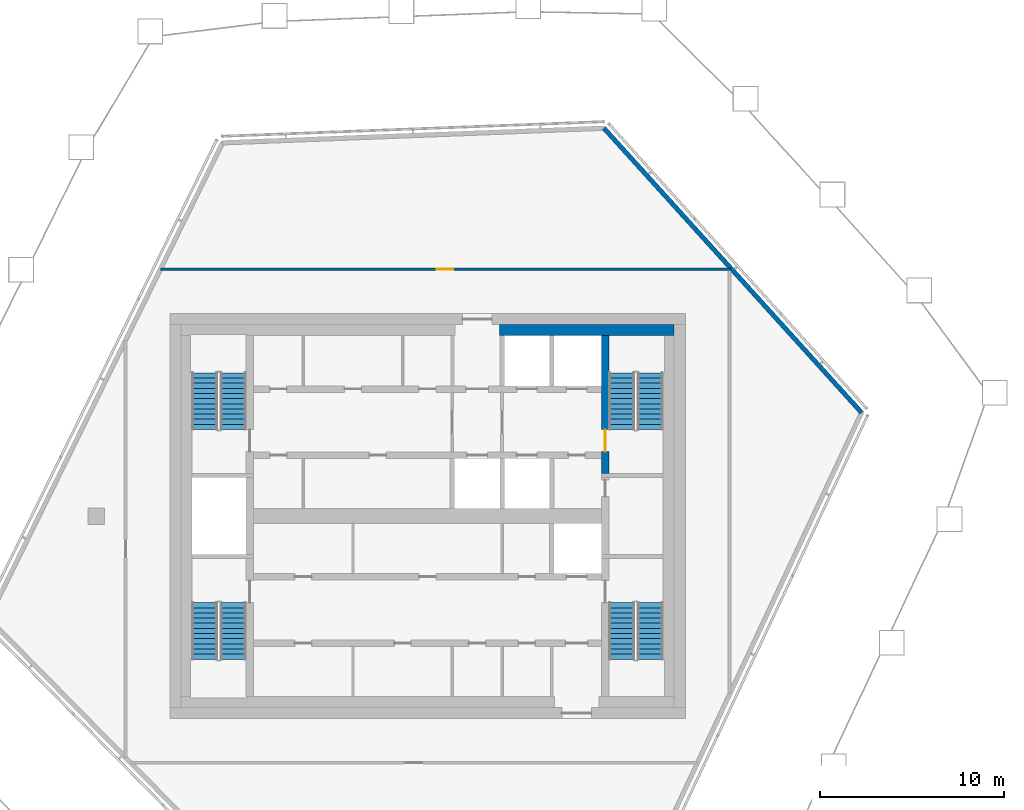
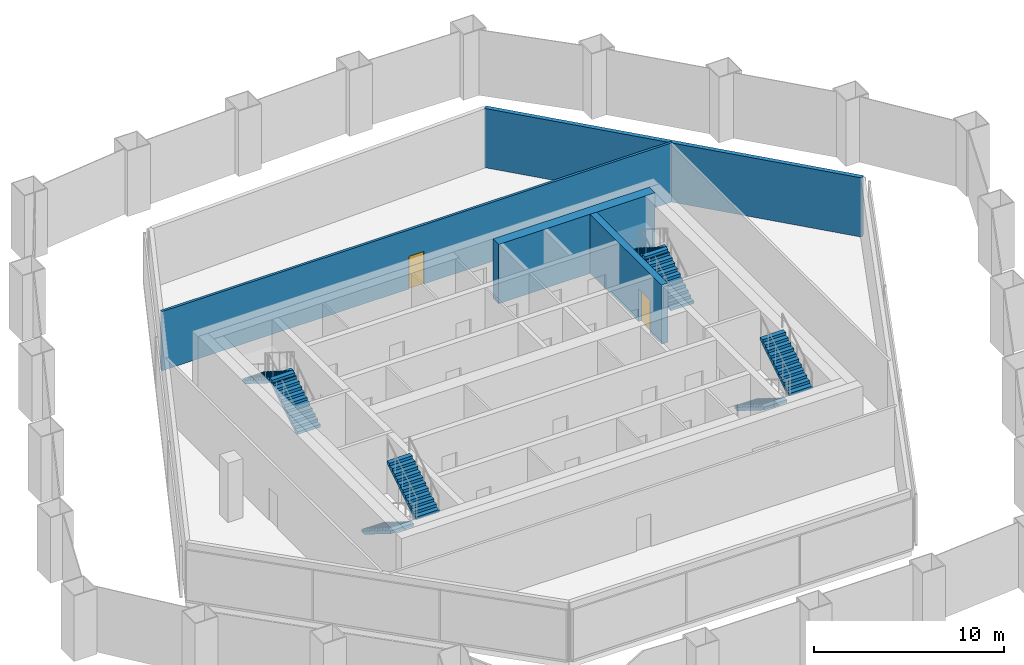
# One storey, part 9 of 18: 8 stair flights, 4 walls, 2 doors, 2 openings, 4 elements without a shape of their own.
"""IFC4 building model written with IfcOpenShell, lengths in metres."""

from ifc_helpers import new_model, si_unit, direction, frame, frame_2d, origin, place, context, subcontext, project, spatial, polyline, rectangle, outline, extrude, material, layer, layer_set, type_object, element, fill, aggregate, save


model = new_model("IFC4")

# Units and contexts
model_context = context("Model", 3, precision=1e-05, world=origin(), true_north=direction((0.0, 1.0)))
body_context = subcontext(model_context, "Body", "Model", "MODEL_VIEW")
ifc_project = project(units=[si_unit("LENGTHUNIT", "METRE"), si_unit("AREAUNIT", "SQUARE_METRE"), si_unit("VOLUMEUNIT", "CUBIC_METRE"), si_unit("PLANEANGLEUNIT", "RADIAN"), si_unit("MASSUNIT", "GRAM", prefix="KILO")], contexts=[model_context])

# Site, building, storey
site_placement = place(None, origin())
site = spatial("IfcSite", under=ifc_project, at=site_placement, CompositionType="ELEMENT")
building_placement = place(site_placement, origin())
building = spatial("IfcBuilding", under=site, at=building_placement, Name="Dongbaek Canopy Tower", CompositionType="ELEMENT")
storey_placement = place(building_placement, frame((0.0, 0.0, 363.199951171875)))
storey = spatial("IfcBuildingStorey", under=building, at=storey_placement, Name="L78", CompositionType="ELEMENT", Elevation=363.199951171875)

# Wall
ifc_material_1 = material(Name="Concrete C60/75", Category="concrete")
ifc_layer_1 = layer(ifc_material_1, 0.60009765625)
ifc_layer_set_1 = layer_set([ifc_layer_1], Name="Core wall lining 600 Concrete C60/75")
wall_type_1 = type_object("IfcWallType", Name="Core wall lining 600 Concrete C60/75", PredefinedType="SHEAR", material=ifc_layer_set_1)
wall_1_placement = place(storey_placement, frame((3.89990234375, 10.10009765625, 0.0), z_axis=(0.0, 0.0, 1.0), x_axis=(1.0, 0.0, 0.0)))
element("IfcWall", 1, at=wall_1_placement, inside=storey, type_object=wall_type_1, Name="Core wall lining", PredefinedType="SHEAR", context=body_context, shape_type="SweptSolid", body=[
    extrude(rectangle(XDim=9.5, YDim=0.60009765625, at=frame_2d((4.75, 0.0))), origin(), (0.0, 0.0, 1.0), 3.800048828125),
])

# Wall, opening, door
ifc_material_2 = material(Name="Gypsum board partition, steel stud, 2 x 15 mm fire board", Category="steel")
ifc_layer_2 = layer(ifc_material_2, 0.14990234375)
ifc_layer_set_2 = layer_set([ifc_layer_2], Name="Fire-rated partition 150 gypsum board")
wall_type_2 = type_object("IfcWallType", Name="Fire-rated partition 150 gypsum board", PredefinedType="PARTITIONING", material=ifc_layer_set_2)
wall_2_placement = place(storey_placement, frame((-14.499755859375, 13.39990234375, 0.0), z_axis=(0.0, 0.0, 1.0), x_axis=(1.0, 0.0, 0.0)))
wall_2 = element("IfcWall", 2, at=wall_2_placement, inside=storey, type_object=wall_type_2, Name="Corridor partition", PredefinedType="PARTITIONING", context=body_context, shape_type="SweptSolid", body=[
    extrude(rectangle(XDim=30.974853515625, YDim=0.14990234375, at=frame_2d((15.4873046875, 0.0))), origin(), (0.0, 0.0, 1.0), 3.800048828125),
])
opening_1_placement = place(wall_2_placement, frame((15.0, 0.0, 0.0)))
opening_1 = element("IfcOpeningElement", 3, at=opening_1_placement, cuts=wall_2, Name="Opening L78-D003", PredefinedType="OPENING", context=body_context, shape_type="SweptSolid", body=[
    extrude(rectangle(XDim=0.89990234375, YDim=2.10009765625, at=frame_2d((0.449951171875, 1.050048828125))), frame((0.0, 0.0849609375, 0.0), z_axis=(0.0, -1.0, 0.0), x_axis=(1.0, 0.0, 0.0)), (0.0, 0.0, 1.0), 0.169921875),
])
ifc_material_3 = material(Name="Timber veneered door leaf", Category="wood")
door_type_1 = type_object("IfcDoorType", Name="Store door 900 x 2100", OperationType="SINGLE_SWING_LEFT", PredefinedType="DOOR", material=ifc_material_3)
door_1_placement = place(opening_1_placement, origin())
door_1 = element("IfcDoor", 4, at=door_1_placement, inside=storey, type_object=door_type_1, Name="Door L78-D003", OperationType="SINGLE_SWING_RIGHT", OverallHeight=2.10009765625, OverallWidth=0.89990234375, PredefinedType="DOOR", context=body_context, shape_type="SweptSolid", body=[
    extrude(rectangle(XDim=0.89990234375, YDim=2.10009765625, at=frame_2d((0.449951171875, 1.050048828125))), frame((0.0, 0.02490234375, 0.0), z_axis=(0.0, -1.0, 0.0), x_axis=(1.0, 0.0, 0.0)), (0.0, 0.0, 1.0), 0.050048828125),
])
fill(opening_1, door_1)

# Wall
ifc_material_4 = material(Name="Pale metal cladding on insulated wall")
ifc_layer_3 = layer(ifc_material_4, 0.25)
ifc_layer_set_3 = layer_set([ifc_layer_3], Name="Plant floor wall 250")
wall_type_3 = type_object("IfcWallType", Name="Plant floor wall 250", PredefinedType="SOLIDWALL", material=ifc_layer_set_3)
wall_3_placement = place(storey_placement, frame((23.582763671875, 5.61376953125, 0.0), z_axis=(0.0, 0.0, 1.0), x_axis=(-0.671256862452, 0.741224813812, 0.0)))
element("IfcWall", 5, at=wall_3_placement, inside=storey, type_object=wall_type_3, Name="Plant wall L78 F2 1", PredefinedType="SOLIDWALL", context=body_context, shape_type="SweptSolid", body=[
    extrude(rectangle(XDim=20.855712890625, YDim=0.25, at=frame_2d((10.427734375, 0.0))), origin(), (0.0, 0.0, 1.0), 3.800048828125),
])

# Wall, opening, door
ifc_material_5 = material(Name="Concrete C60/75", Category="concrete")
ifc_layer_4 = layer(ifc_material_5, 0.39990234375)
ifc_layer_set_4 = layer_set([ifc_layer_4], Name="Stair wall 400 Concrete C60/75")
wall_type_4 = type_object("IfcWallType", Name="Stair wall 400 Concrete C60/75", PredefinedType="SHEAR", material=ifc_layer_set_4)
wall_4_placement = place(storey_placement, frame((9.64990234375, 9.800048828125, 0.0), z_axis=(0.0, 0.0, 1.0), x_axis=(0.0, -1.0, 0.0)))
wall_4 = element("IfcWall", 6, at=wall_4_placement, inside=storey, type_object=wall_type_4, Name="Stair wall", PredefinedType="SHEAR", context=body_context, shape_type="SweptSolid", body=[
    extrude(rectangle(XDim=7.5, YDim=0.39990234375, at=frame_2d((3.75, 0.0))), origin(), (0.0, 0.0, 1.0), 3.800048828125),
])
opening_2_placement = place(wall_4_placement, frame((5.10009765625, 0.0, 0.0)))
opening_2 = element("IfcOpeningElement", 7, at=opening_2_placement, cuts=wall_4, Name="Opening L78-D027", PredefinedType="OPENING", context=body_context, shape_type="SweptSolid", body=[
    extrude(rectangle(XDim=1.199951171875, YDim=2.10009765625, at=frame_2d((0.60009765625, 1.050048828125))), frame((0.0, 0.2099609375, 0.0), z_axis=(0.0, -1.0, 0.0), x_axis=(1.0, 0.0, 0.0)), (0.0, 0.0, 1.0), 0.419921875),
])
ifc_material_6 = material(Name="Steel", Category="steel")
door_type_2 = type_object("IfcDoorType", Name="Stair door 1200 x 2100", OperationType="SINGLE_SWING_LEFT", PredefinedType="DOOR", material=ifc_material_6)
door_2_placement = place(opening_2_placement, origin())
door_2 = element("IfcDoor", 8, at=door_2_placement, inside=storey, type_object=door_type_2, Name="Stair A door", OperationType="SINGLE_SWING_LEFT", OverallHeight=2.10009765625, OverallWidth=1.199951171875, PredefinedType="DOOR", context=body_context, shape_type="SweptSolid", body=[
    extrude(rectangle(XDim=1.199951171875, YDim=2.10009765625, at=frame_2d((0.60009765625, 1.050048828125))), frame((0.0, 0.02490234375, 0.0), z_axis=(0.0, -1.0, 0.0), x_axis=(1.0, 0.0, 0.0)), (0.0, 0.0, 1.0), 0.050048828125),
])
fill(opening_2, door_2)

# Stair, stair flights
ifc_material_7 = material(Name="Concrete C40/50", Category="concrete")
stair_type = type_object("IfcStairType", Name="Core exit stair", PredefinedType="HALF_TURN_STAIR", material=ifc_material_7)
stair_1_placement = place(storey_placement, origin())
stair_1 = element("IfcStair", 9, at=stair_1_placement, inside=storey, type_object=stair_type, Name="L78 exit stair A", PredefinedType="HALF_TURN_STAIR")
ifc_material_8 = material(Name="Concrete C40/50", Category="concrete")
ifc_layer_5 = layer(ifc_material_8, 0.14990234375)
ifc_layer_set_5 = layer_set([ifc_layer_5], Name="Core stair flight 150 waist")
stair_flight_type = type_object("IfcStairFlightType", Name="Core stair flight 150 waist", PredefinedType="STRAIGHT", material=ifc_layer_set_5)
stair_flight_1_placement = place(storey_placement, frame((12.10009765625, 4.699951171875, 0.0), z_axis=(0.0, 0.0, 1.0), x_axis=(0.0, 1.0, 0.0)))
stair_flight_1 = element("IfcStairFlight", 10, at=stair_flight_1_placement, type_object=stair_flight_type, Name="ST-A flight 1", NumberOfRisers=12, NumberOfTreads=11, PredefinedType="STRAIGHT", RiserHeight=0.175, TreadLength=0.28, context=body_context, shape_type="SweptSolid", body=[
    extrude(outline(polyline([(0.0, 0.0), (0.0, 0.175048828125), (0.280029296875, 0.175048828125), (0.280029296875, 0.35009765625), (0.56005859375, 0.35009765625), (0.56005859375, 0.52490234375), (0.840087890625, 0.52490234375), (0.840087890625, 0.699951171875), (1.1201171875, 0.699951171875), (1.1201171875, 0.875), (1.39990234375, 0.875), (1.39990234375, 1.050048828125), (1.679931640625, 1.050048828125), (1.679931640625, 1.22509765625), (1.9599609375, 1.22509765625), (1.9599609375, 1.39990234375), (2.239990234375, 1.39990234375), (2.239990234375, 1.574951171875), (2.52001953125, 1.574951171875), (2.52001953125, 1.75), (2.800048828125, 1.75), (2.800048828125, 1.925048828125), (3.080078125, 1.925048828125), (3.080078125, 2.10009765625), (3.080078125, 1.748291015625), (0.28271484375, 0.0), (0.0, 0.0)])), frame((0.0, 0.699951171875, 0.0), z_axis=(0.0, -1.0, 0.0), x_axis=(1.0, 0.0, 0.0)), (0.0, 0.0, 1.0), 1.39990234375),
])
stair_flight_2_placement = place(storey_placement, frame((10.550048828125, 7.780029296875, 2.10009765625), z_axis=(0.0, 0.0, 1.0), x_axis=(0.0, -1.0, 0.0)))
stair_flight_2 = element("IfcStairFlight", 11, at=stair_flight_2_placement, type_object=stair_flight_type, Name="ST-A flight 2", NumberOfRisers=12, NumberOfTreads=11, PredefinedType="STRAIGHT", RiserHeight=0.175, TreadLength=0.28, context=body_context, shape_type="SweptSolid", body=[
    extrude(outline(polyline([(0.0, 0.0), (0.0, 0.175048828125), (0.280029296875, 0.175048828125), (0.280029296875, 0.35009765625), (0.56005859375, 0.35009765625), (0.56005859375, 0.52490234375), (0.840087890625, 0.52490234375), (0.840087890625, 0.699951171875), (1.1201171875, 0.699951171875), (1.1201171875, 0.875), (1.39990234375, 0.875), (1.39990234375, 1.050048828125), (1.679931640625, 1.050048828125), (1.679931640625, 1.22509765625), (1.9599609375, 1.22509765625), (1.9599609375, 1.39990234375), (2.239990234375, 1.39990234375), (2.239990234375, 1.574951171875), (2.52001953125, 1.574951171875), (2.52001953125, 1.75), (2.800048828125, 1.75), (2.800048828125, 1.925048828125), (3.080078125, 1.925048828125), (3.080078125, 2.10009765625), (3.080078125, 1.748291015625), (0.28271484375, 0.0), (0.0, 0.0)])), frame((0.0, 0.699951171875, 0.0), z_axis=(0.0, -1.0, 0.0), x_axis=(1.0, 0.0, 0.0)), (0.0, 0.0, 1.0), 1.39990234375),
])
aggregate(stair_1, [stair_flight_1, stair_flight_2])

stair_2_placement = place(storey_placement, origin())
stair_2 = element("IfcStair", 12, at=stair_2_placement, inside=storey, type_object=stair_type, Name="L78 exit stair C", PredefinedType="HALF_TURN_STAIR")
stair_flight_3_placement = place(storey_placement, frame((-10.550048828125, 4.699951171875, 0.0), z_axis=(0.0, 0.0, 1.0), x_axis=(0.0, 1.0, 0.0)))
stair_flight_3 = element("IfcStairFlight", 13, at=stair_flight_3_placement, type_object=stair_flight_type, Name="ST-C flight 1", NumberOfRisers=12, NumberOfTreads=11, PredefinedType="STRAIGHT", RiserHeight=0.175, TreadLength=0.28, context=body_context, shape_type="SweptSolid", body=[
    extrude(outline(polyline([(0.0, 0.0), (0.0, 0.175048828125), (0.280029296875, 0.175048828125), (0.280029296875, 0.35009765625), (0.56005859375, 0.35009765625), (0.56005859375, 0.52490234375), (0.840087890625, 0.52490234375), (0.840087890625, 0.699951171875), (1.1201171875, 0.699951171875), (1.1201171875, 0.875), (1.39990234375, 0.875), (1.39990234375, 1.050048828125), (1.679931640625, 1.050048828125), (1.679931640625, 1.22509765625), (1.9599609375, 1.22509765625), (1.9599609375, 1.39990234375), (2.239990234375, 1.39990234375), (2.239990234375, 1.574951171875), (2.52001953125, 1.574951171875), (2.52001953125, 1.75), (2.800048828125, 1.75), (2.800048828125, 1.925048828125), (3.080078125, 1.925048828125), (3.080078125, 2.10009765625), (3.080078125, 1.748291015625), (0.28271484375, 0.0), (0.0, 0.0)])), frame((0.0, 0.699951171875, 0.0), z_axis=(0.0, -1.0, 0.0), x_axis=(1.0, 0.0, 0.0)), (0.0, 0.0, 1.0), 1.39990234375),
])
stair_flight_4_placement = place(storey_placement, frame((-12.10009765625, 7.780029296875, 2.10009765625), z_axis=(0.0, 0.0, 1.0), x_axis=(0.0, -1.0, 0.0)))
stair_flight_4 = element("IfcStairFlight", 14, at=stair_flight_4_placement, type_object=stair_flight_type, Name="ST-C flight 2", NumberOfRisers=12, NumberOfTreads=11, PredefinedType="STRAIGHT", RiserHeight=0.175, TreadLength=0.28, context=body_context, shape_type="SweptSolid", body=[
    extrude(outline(polyline([(0.0, 0.0), (0.0, 0.175048828125), (0.280029296875, 0.175048828125), (0.280029296875, 0.35009765625), (0.56005859375, 0.35009765625), (0.56005859375, 0.52490234375), (0.840087890625, 0.52490234375), (0.840087890625, 0.699951171875), (1.1201171875, 0.699951171875), (1.1201171875, 0.875), (1.39990234375, 0.875), (1.39990234375, 1.050048828125), (1.679931640625, 1.050048828125), (1.679931640625, 1.22509765625), (1.9599609375, 1.22509765625), (1.9599609375, 1.39990234375), (2.239990234375, 1.39990234375), (2.239990234375, 1.574951171875), (2.52001953125, 1.574951171875), (2.52001953125, 1.75), (2.800048828125, 1.75), (2.800048828125, 1.925048828125), (3.080078125, 1.925048828125), (3.080078125, 2.10009765625), (3.080078125, 1.748291015625), (0.28271484375, 0.0), (0.0, 0.0)])), frame((0.0, 0.699951171875, 0.0), z_axis=(0.0, -1.0, 0.0), x_axis=(1.0, 0.0, 0.0)), (0.0, 0.0, 1.0), 1.39990234375),
])
aggregate(stair_2, [stair_flight_3, stair_flight_4])

stair_3_placement = place(storey_placement, origin())
stair_3 = element("IfcStair", 15, at=stair_3_placement, inside=storey, type_object=stair_type, Name="L78 exit stair B", PredefinedType="HALF_TURN_STAIR")
stair_flight_5_placement = place(storey_placement, frame((10.550048828125, -4.699951171875, 0.0), z_axis=(0.0, 0.0, 1.0), x_axis=(0.0, -1.0, 0.0)))
stair_flight_5 = element("IfcStairFlight", 16, at=stair_flight_5_placement, type_object=stair_flight_type, Name="ST-B flight 1", NumberOfRisers=12, NumberOfTreads=11, PredefinedType="STRAIGHT", RiserHeight=0.175, TreadLength=0.28, context=body_context, shape_type="SweptSolid", body=[
    extrude(outline(polyline([(0.0, 0.0), (0.0, 0.175048828125), (0.280029296875, 0.175048828125), (0.280029296875, 0.35009765625), (0.56005859375, 0.35009765625), (0.56005859375, 0.52490234375), (0.840087890625, 0.52490234375), (0.840087890625, 0.699951171875), (1.1201171875, 0.699951171875), (1.1201171875, 0.875), (1.39990234375, 0.875), (1.39990234375, 1.050048828125), (1.679931640625, 1.050048828125), (1.679931640625, 1.22509765625), (1.9599609375, 1.22509765625), (1.9599609375, 1.39990234375), (2.239990234375, 1.39990234375), (2.239990234375, 1.574951171875), (2.52001953125, 1.574951171875), (2.52001953125, 1.75), (2.800048828125, 1.75), (2.800048828125, 1.925048828125), (3.080078125, 1.925048828125), (3.080078125, 2.10009765625), (3.080078125, 1.748291015625), (0.28271484375, 0.0), (0.0, 0.0)])), frame((0.0, 0.699951171875, 0.0), z_axis=(0.0, -1.0, 0.0), x_axis=(1.0, 0.0, 0.0)), (0.0, 0.0, 1.0), 1.39990234375),
])
stair_flight_6_placement = place(storey_placement, frame((12.10009765625, -7.780029296875, 2.10009765625), z_axis=(0.0, 0.0, 1.0), x_axis=(0.0, 1.0, 0.0)))
stair_flight_6 = element("IfcStairFlight", 17, at=stair_flight_6_placement, type_object=stair_flight_type, Name="ST-B flight 2", NumberOfRisers=12, NumberOfTreads=11, PredefinedType="STRAIGHT", RiserHeight=0.175, TreadLength=0.28, context=body_context, shape_type="SweptSolid", body=[
    extrude(outline(polyline([(0.0, 0.0), (0.0, 0.175048828125), (0.280029296875, 0.175048828125), (0.280029296875, 0.35009765625), (0.56005859375, 0.35009765625), (0.56005859375, 0.52490234375), (0.840087890625, 0.52490234375), (0.840087890625, 0.699951171875), (1.1201171875, 0.699951171875), (1.1201171875, 0.875), (1.39990234375, 0.875), (1.39990234375, 1.050048828125), (1.679931640625, 1.050048828125), (1.679931640625, 1.22509765625), (1.9599609375, 1.22509765625), (1.9599609375, 1.39990234375), (2.239990234375, 1.39990234375), (2.239990234375, 1.574951171875), (2.52001953125, 1.574951171875), (2.52001953125, 1.75), (2.800048828125, 1.75), (2.800048828125, 1.925048828125), (3.080078125, 1.925048828125), (3.080078125, 2.10009765625), (3.080078125, 1.748291015625), (0.28271484375, 0.0), (0.0, 0.0)])), frame((0.0, 0.699951171875, 0.0), z_axis=(0.0, -1.0, 0.0), x_axis=(1.0, 0.0, 0.0)), (0.0, 0.0, 1.0), 1.39990234375),
])
aggregate(stair_3, [stair_flight_5, stair_flight_6])

stair_4_placement = place(storey_placement, origin())
stair_4 = element("IfcStair", 18, at=stair_4_placement, inside=storey, type_object=stair_type, Name="L78 exit stair D", PredefinedType="HALF_TURN_STAIR")
stair_flight_7_placement = place(storey_placement, frame((-12.10009765625, -4.699951171875, 0.0), z_axis=(0.0, 0.0, 1.0), x_axis=(0.0, -1.0, 0.0)))
stair_flight_7 = element("IfcStairFlight", 19, at=stair_flight_7_placement, type_object=stair_flight_type, Name="ST-D flight 1", NumberOfRisers=12, NumberOfTreads=11, PredefinedType="STRAIGHT", RiserHeight=0.175, TreadLength=0.28, context=body_context, shape_type="SweptSolid", body=[
    extrude(outline(polyline([(0.0, 0.0), (0.0, 0.175048828125), (0.280029296875, 0.175048828125), (0.280029296875, 0.35009765625), (0.56005859375, 0.35009765625), (0.56005859375, 0.52490234375), (0.840087890625, 0.52490234375), (0.840087890625, 0.699951171875), (1.1201171875, 0.699951171875), (1.1201171875, 0.875), (1.39990234375, 0.875), (1.39990234375, 1.050048828125), (1.679931640625, 1.050048828125), (1.679931640625, 1.22509765625), (1.9599609375, 1.22509765625), (1.9599609375, 1.39990234375), (2.239990234375, 1.39990234375), (2.239990234375, 1.574951171875), (2.52001953125, 1.574951171875), (2.52001953125, 1.75), (2.800048828125, 1.75), (2.800048828125, 1.925048828125), (3.080078125, 1.925048828125), (3.080078125, 2.10009765625), (3.080078125, 1.748291015625), (0.28271484375, 0.0), (0.0, 0.0)])), frame((0.0, 0.699951171875, 0.0), z_axis=(0.0, -1.0, 0.0), x_axis=(1.0, 0.0, 0.0)), (0.0, 0.0, 1.0), 1.39990234375),
])
stair_flight_8_placement = place(storey_placement, frame((-10.550048828125, -7.780029296875, 2.10009765625), z_axis=(0.0, 0.0, 1.0), x_axis=(0.0, 1.0, 0.0)))
stair_flight_8 = element("IfcStairFlight", 20, at=stair_flight_8_placement, type_object=stair_flight_type, Name="ST-D flight 2", NumberOfRisers=12, NumberOfTreads=11, PredefinedType="STRAIGHT", RiserHeight=0.175, TreadLength=0.28, context=body_context, shape_type="SweptSolid", body=[
    extrude(outline(polyline([(0.0, 0.0), (0.0, 0.175048828125), (0.280029296875, 0.175048828125), (0.280029296875, 0.35009765625), (0.56005859375, 0.35009765625), (0.56005859375, 0.52490234375), (0.840087890625, 0.52490234375), (0.840087890625, 0.699951171875), (1.1201171875, 0.699951171875), (1.1201171875, 0.875), (1.39990234375, 0.875), (1.39990234375, 1.050048828125), (1.679931640625, 1.050048828125), (1.679931640625, 1.22509765625), (1.9599609375, 1.22509765625), (1.9599609375, 1.39990234375), (2.239990234375, 1.39990234375), (2.239990234375, 1.574951171875), (2.52001953125, 1.574951171875), (2.52001953125, 1.75), (2.800048828125, 1.75), (2.800048828125, 1.925048828125), (3.080078125, 1.925048828125), (3.080078125, 2.10009765625), (3.080078125, 1.748291015625), (0.28271484375, 0.0), (0.0, 0.0)])), frame((0.0, 0.699951171875, 0.0), z_axis=(0.0, -1.0, 0.0), x_axis=(1.0, 0.0, 0.0)), (0.0, 0.0, 1.0), 1.39990234375),
])
aggregate(stair_4, [stair_flight_7, stair_flight_8])

save(model, "model.ifc")
